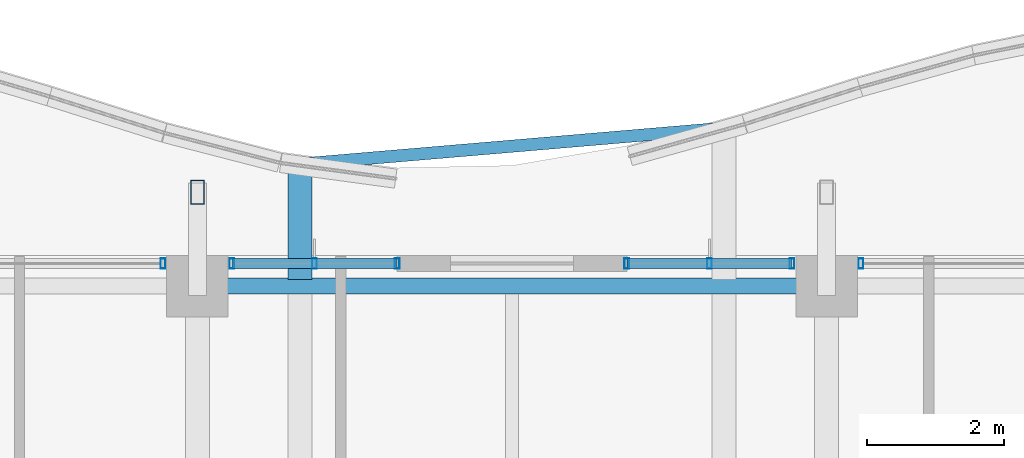
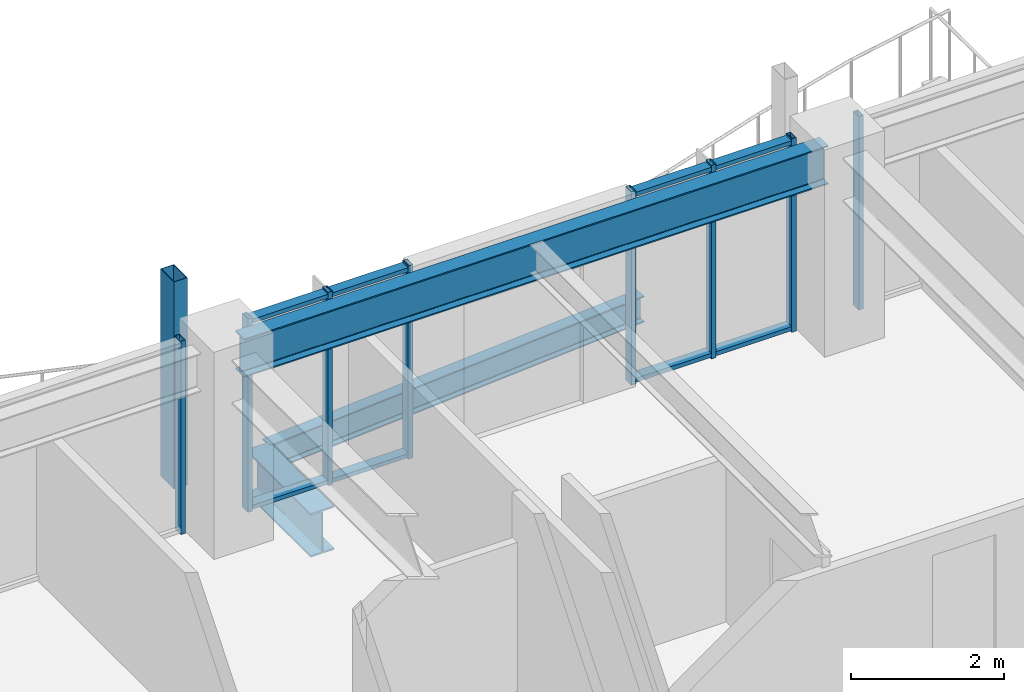
# One storey, part 20 of 37: 13 members, 3 beams, 4 elements without a shape of their own.
"""IFC4 building model written with IfcOpenShell, lengths in metres."""

from ifc_helpers import new_model, si_unit, direction, frame, origin, origin_2d, place, context, subcontext, project, spatial, hollow_rectangle, i_section, extrude, material, material_profile, profile_set, type_object, element, aggregate, save


model = new_model("IFC4")

# Units and contexts
model_context = context("Model", 3, precision=1e-05, world=origin(), true_north=direction((0.0, 1.0)))
body_context = subcontext(model_context, "Body", "Model", "MODEL_VIEW")
ifc_project = project(units=[si_unit("LENGTHUNIT", "METRE"), si_unit("AREAUNIT", "SQUARE_METRE"), si_unit("VOLUMEUNIT", "CUBIC_METRE"), si_unit("PLANEANGLEUNIT", "RADIAN"), si_unit("MASSUNIT", "GRAM", prefix="KILO")], contexts=[model_context])

# Site, building, storey
site_placement = place(None, origin())
site = spatial("IfcSite", under=ifc_project, at=site_placement, CompositionType="ELEMENT")
building_placement = place(site_placement, origin())
building = spatial("IfcBuilding", under=site, at=building_placement, Name="Kolvaren Belvedere", CompositionType="ELEMENT")
storey_placement = place(building_placement, frame((0.0, 0.0, 180.0)))
storey = spatial("IfcBuildingStorey", under=building, at=storey_placement, Name="L52", CompositionType="ELEMENT", Elevation=180.0)

# Beams
ifc_material_1 = material(Name="Structural steel ASTM A992 Grade 50", Category="steel")
ifc_material_profile_1 = material_profile(ifc_material_1, i_section(OverallWidth=0.35498046875, OverallDepth=0.696044921875, WebThickness=0.015380859375, FlangeThickness=0.02490234375, FilletRadius=0.02197265625, at=origin_2d()), Name="W27X146")
ifc_profile_set_1 = profile_set([ifc_material_profile_1], Name="Structural steel ASTM A992 Grade 50")
beam_type_1 = type_object("IfcBeamType", Name="BM-CANT-BAL", PredefinedType="BEAM", material=ifc_profile_set_1)
beam_1_placement = place(storey_placement, frame((-3.10009765625, 20.044921875, -0.568115234375), z_axis=(0.0, 1.0, 0.0), x_axis=(-1.0, 0.0, 0.0)))
element("IfcBeam", 1, at=beam_1_placement, inside=storey, type_object=beam_type_1, Name="L52 Planted Balcony Cantilever BAL-N-1", PredefinedType="BEAM", context=body_context, shape_type="SweptSolid", body=[
    extrude(i_section(OverallWidth=0.35498046875, OverallDepth=0.696044921875, WebThickness=0.015380859375, FlangeThickness=0.02490234375, FilletRadius=0.02197265625, at=origin_2d()), origin(), (0.0, 0.0, 1.0), 1.6875),
])
ifc_material_2 = material(Name="Structural steel ASTM A992 Grade 50", Category="steel")
ifc_material_profile_2 = material_profile(ifc_material_2, i_section(OverallWidth=0.180908203125, OverallDepth=0.4169921875, WebThickness=0.010986328125, FlangeThickness=0.018310546875, FilletRadius=0.013916015625, at=origin_2d()), Name="W16X57")
ifc_profile_set_2 = profile_set([ifc_material_profile_2], Name="Structural steel ASTM A992 Grade 50")
beam_type_2 = type_object("IfcBeamType", Name="BM-EDGE-W16X57", PredefinedType="BEAM", material=ifc_profile_set_2)
beam_2_placement = place(storey_placement, frame((-2.96044921875, 21.744140625, -0.428466796875), z_axis=(0.996415343973, 0.08459587635, 0.0), x_axis=(-0.08459587635, 0.996415343973, 0.0)))
element("IfcBeam", 2, at=beam_2_placement, inside=storey, type_object=beam_type_2, Name="L52 Balcony Tip Header Beam BAL-N", PredefinedType="BEAM", context=body_context, shape_type="SweptSolid", body=[
    extrude(i_section(OverallWidth=0.180908203125, OverallDepth=0.4169921875, WebThickness=0.010986328125, FlangeThickness=0.018310546875, FilletRadius=0.013916015625, at=origin_2d()), origin(), (0.0, 0.0, 1.0), 5.942138671875),
])
ifc_material_3 = material(Name="Structural steel ASTM A992 Grade 50", Category="steel")
ifc_material_profile_3 = material_profile(ifc_material_3, i_section(OverallWidth=0.22900390625, OverallDepth=0.612060546875, WebThickness=0.011962890625, FlangeThickness=0.01953125, FilletRadius=0.01806640625, at=origin_2d()), Name="W24X84")
ifc_profile_set_3 = profile_set([ifc_material_profile_3], Name="Structural steel ASTM A992 Grade 50")
beam_type_3 = type_object("IfcBeamType", Name="BM-SPAN-W24X84", PredefinedType="SPANDREL", material=ifc_profile_set_3)
beam_3_placement = place(storey_placement, frame((4.3974609375, 19.949951171875, 2.77392578125), z_axis=(-1.0, 0.0, 0.0), x_axis=(0.0, -1.0, 0.0)))
element("IfcBeam", 3, at=beam_3_placement, inside=storey, type_object=beam_type_3, Name="L52 Perimeter Spandrel N3-N2", PredefinedType="SPANDREL", context=body_context, shape_type="SweptSolid", body=[
    extrude(i_section(OverallWidth=0.22900390625, OverallDepth=0.612060546875, WebThickness=0.011962890625, FlangeThickness=0.01953125, FilletRadius=0.01806640625, at=origin_2d()), origin(), (0.0, 0.0, 1.0), 8.794921875),
])

# Curtain wall, member
ifc_material_4 = material(Name="Anodised pale-metal aluminium AA 6063-T6", Category="aluminium")
curtain_wall_type = type_object("IfcCurtainWallType", Name="CW-Z5-HIGH", PredefinedType="NOTDEFINED", material=ifc_material_4)
curtain_wall_1_placement = place(storey_placement, origin())
curtain_wall_1 = element("IfcCurtainWall", 4, at=curtain_wall_1_placement, inside=storey, type_object=curtain_wall_type, Name="L52 Unitised Curtain Wall FCW-L52-N1-B1", PredefinedType="NOTDEFINED")
ifc_material_5 = material(Name="Anodised pale-metal aluminium AA 6063-T6", Category="aluminium")
ifc_material_profile_4 = material_profile(ifc_material_5, hollow_rectangle(XDim=0.070068359375, YDim=0.14990234375, WallThickness=0.004150390625, at=origin_2d()), Name="ALU-MUL-150X70")
ifc_profile_set_4 = profile_set([ifc_material_profile_4], Name="Anodised pale-metal aluminium AA 6063-T6")
member_type_1 = type_object("IfcMemberType", Name="CW-MUL-150", PredefinedType="MULLION", material=ifc_profile_set_4)
member_1_placement = place(storey_placement, frame((-5.10498046875, 20.280029296875, 0.0), z_axis=(0.0, 0.0, 1.0), x_axis=(1.0, 0.0, 0.0)))
member_1 = element("IfcMember", 5, at=member_1_placement, type_object=member_type_1, Name="FCW-L52-N1-B1 Unitised Mullion 3", PredefinedType="MULLION", context=body_context, shape_type="SweptSolid", body=[
    extrude(hollow_rectangle(XDim=0.070068359375, YDim=0.14990234375, WallThickness=0.004150390625, at=origin_2d()), origin(), (0.0, 0.0, 1.0), 3.080078125),
])
aggregate(curtain_wall_1, [member_1])

# Curtain wall, members
curtain_wall_2_placement = place(storey_placement, origin())
curtain_wall_2 = element("IfcCurtainWall", 6, at=curtain_wall_2_placement, inside=storey, type_object=curtain_wall_type, Name="L52 Unitised Curtain Wall FCW-L52-N1-B2", PredefinedType="NOTDEFINED")
member_2_placement = place(storey_placement, frame((-4.094970703125, 20.280029296875, 0.0), z_axis=(0.0, 0.0, 1.0), x_axis=(1.0, 0.0, 0.0)))
member_2 = element("IfcMember", 7, at=member_2_placement, type_object=member_type_1, Name="FCW-L52-N1-B2 Unitised Mullion 1", PredefinedType="MULLION", context=body_context, shape_type="SweptSolid", body=[
    extrude(hollow_rectangle(XDim=0.070068359375, YDim=0.14990234375, WallThickness=0.004150390625, at=origin_2d()), origin(), (0.0, 0.0, 1.0), 3.080078125),
])
member_3_placement = place(storey_placement, frame((-2.887451171875, 20.280029296875, 0.0), z_axis=(0.0, 0.0, 1.0), x_axis=(1.0, 0.0, 0.0)))
member_3 = element("IfcMember", 8, at=member_3_placement, type_object=member_type_1, Name="FCW-L52-N1-B2 Unitised Mullion 2", PredefinedType="MULLION", context=body_context, shape_type="SweptSolid", body=[
    extrude(hollow_rectangle(XDim=0.070068359375, YDim=0.14990234375, WallThickness=0.004150390625, at=origin_2d()), origin(), (0.0, 0.0, 1.0), 3.080078125),
])
member_4_placement = place(storey_placement, frame((-1.679931640625, 20.280029296875, 0.0), z_axis=(0.0, 0.0, 1.0), x_axis=(1.0, 0.0, 0.0)))
member_4 = element("IfcMember", 9, at=member_4_placement, type_object=member_type_1, Name="FCW-L52-N1-B2 Unitised Mullion 3", PredefinedType="MULLION", context=body_context, shape_type="SweptSolid", body=[
    extrude(hollow_rectangle(XDim=0.070068359375, YDim=0.14990234375, WallThickness=0.004150390625, at=origin_2d()), origin(), (0.0, 0.0, 1.0), 3.080078125),
])

curtain_wall_3_placement = place(storey_placement, origin())
curtain_wall_3 = element("IfcCurtainWall", 10, at=curtain_wall_3_placement, inside=storey, type_object=curtain_wall_type, Name="L52 Unitised Curtain Wall FCW-L52-N2-B1", PredefinedType="NOTDEFINED")
member_5_placement = place(storey_placement, frame((1.679931640625, 20.280029296875, 0.0), z_axis=(0.0, 0.0, 1.0), x_axis=(1.0, 0.0, 0.0)))
member_5 = element("IfcMember", 11, at=member_5_placement, type_object=member_type_1, Name="FCW-L52-N2-B1 Unitised Mullion 1", PredefinedType="MULLION", context=body_context, shape_type="SweptSolid", body=[
    extrude(hollow_rectangle(XDim=0.070068359375, YDim=0.14990234375, WallThickness=0.004150390625, at=origin_2d()), origin(), (0.0, 0.0, 1.0), 3.080078125),
])
member_6_placement = place(storey_placement, frame((2.887451171875, 20.280029296875, 0.0), z_axis=(0.0, 0.0, 1.0), x_axis=(1.0, 0.0, 0.0)))
member_6 = element("IfcMember", 12, at=member_6_placement, type_object=member_type_1, Name="FCW-L52-N2-B1 Unitised Mullion 2", PredefinedType="MULLION", context=body_context, shape_type="SweptSolid", body=[
    extrude(hollow_rectangle(XDim=0.070068359375, YDim=0.14990234375, WallThickness=0.004150390625, at=origin_2d()), origin(), (0.0, 0.0, 1.0), 3.080078125),
])
member_7_placement = place(storey_placement, frame((4.094970703125, 20.280029296875, 0.0), z_axis=(0.0, 0.0, 1.0), x_axis=(1.0, 0.0, 0.0)))
member_7 = element("IfcMember", 13, at=member_7_placement, type_object=member_type_1, Name="FCW-L52-N2-B1 Unitised Mullion 3", PredefinedType="MULLION", context=body_context, shape_type="SweptSolid", body=[
    extrude(hollow_rectangle(XDim=0.070068359375, YDim=0.14990234375, WallThickness=0.004150390625, at=origin_2d()), origin(), (0.0, 0.0, 1.0), 3.080078125),
])

# Curtain wall, member
curtain_wall_4_placement = place(storey_placement, origin())
curtain_wall_4 = element("IfcCurtainWall", 14, at=curtain_wall_4_placement, inside=storey, type_object=curtain_wall_type, Name="L52 Unitised Curtain Wall FCW-L52-N2-B2", PredefinedType="NOTDEFINED")
member_8_placement = place(storey_placement, frame((5.10498046875, 20.280029296875, 0.0), z_axis=(0.0, 0.0, 1.0), x_axis=(1.0, 0.0, 0.0)))
member_8 = element("IfcMember", 15, at=member_8_placement, type_object=member_type_1, Name="FCW-L52-N2-B2 Unitised Mullion 1", PredefinedType="MULLION", context=body_context, shape_type="SweptSolid", body=[
    extrude(hollow_rectangle(XDim=0.070068359375, YDim=0.14990234375, WallThickness=0.004150390625, at=origin_2d()), origin(), (0.0, 0.0, 1.0), 3.080078125),
])
aggregate(curtain_wall_4, [member_8])

# Member
ifc_material_6 = material(Name="Anodised pale-metal aluminium AA 6063-T6", Category="aluminium")
ifc_material_profile_5 = material_profile(ifc_material_6, hollow_rectangle(XDim=0.06494140625, YDim=0.14990234375, WallThickness=0.00390625, at=origin_2d()), Name="ALU-TRN-150X65")
ifc_profile_set_5 = profile_set([ifc_material_profile_5], Name="Anodised pale-metal aluminium AA 6063-T6")
member_type_2 = type_object("IfcMemberType", Name="CW-TRN-150", PredefinedType="USERDEFINED", material=ifc_profile_set_5)
member_9_placement = place(storey_placement, frame((-4.094970703125, 20.280029296875, 0.06005859375), z_axis=(1.0, 0.0, 0.0), x_axis=(0.0, 0.0, 1.0)))
member_9 = element("IfcMember", 16, at=member_9_placement, type_object=member_type_2, Name="FCW-L52-N1-B2 Sill Transom", ObjectType="TRANSOM", PredefinedType="USERDEFINED", context=body_context, shape_type="SweptSolid", body=[
    extrude(hollow_rectangle(XDim=0.06494140625, YDim=0.14990234375, WallThickness=0.00390625, at=origin_2d()), origin(), (0.0, 0.0, 1.0), 2.4150390625),
])

member_10_placement = place(storey_placement, frame((-4.094970703125, 20.280029296875, 3.02001953125), z_axis=(1.0, 0.0, 0.0), x_axis=(0.0, 0.0, 1.0)))
member_10 = element("IfcMember", 17, at=member_10_placement, type_object=member_type_2, Name="FCW-L52-N1-B2 Head Transom", ObjectType="TRANSOM", PredefinedType="USERDEFINED", context=body_context, shape_type="SweptSolid", body=[
    extrude(hollow_rectangle(XDim=0.06494140625, YDim=0.14990234375, WallThickness=0.00390625, at=origin_2d()), origin(), (0.0, 0.0, 1.0), 2.4150390625),
])

aggregate(curtain_wall_2, [member_2, member_3, member_4, member_9, member_10])

member_11_placement = place(storey_placement, frame((1.679931640625, 20.280029296875, 0.06005859375), z_axis=(1.0, 0.0, 0.0), x_axis=(0.0, 0.0, 1.0)))
member_11 = element("IfcMember", 18, at=member_11_placement, type_object=member_type_2, Name="FCW-L52-N2-B1 Sill Transom", ObjectType="TRANSOM", PredefinedType="USERDEFINED", context=body_context, shape_type="SweptSolid", body=[
    extrude(hollow_rectangle(XDim=0.06494140625, YDim=0.14990234375, WallThickness=0.00390625, at=origin_2d()), origin(), (0.0, 0.0, 1.0), 2.4150390625),
])

member_12_placement = place(storey_placement, frame((1.679931640625, 20.280029296875, 3.02001953125), z_axis=(1.0, 0.0, 0.0), x_axis=(0.0, 0.0, 1.0)))
member_12 = element("IfcMember", 19, at=member_12_placement, type_object=member_type_2, Name="FCW-L52-N2-B1 Head Transom", ObjectType="TRANSOM", PredefinedType="USERDEFINED", context=body_context, shape_type="SweptSolid", body=[
    extrude(hollow_rectangle(XDim=0.06494140625, YDim=0.14990234375, WallThickness=0.00390625, at=origin_2d()), origin(), (0.0, 0.0, 1.0), 2.4150390625),
])

aggregate(curtain_wall_3, [member_5, member_6, member_7, member_11, member_12])

ifc_material_7 = material(Name="Anodised pale-metal aluminium AA 6063-T6", Category="aluminium")
ifc_material_profile_6 = material_profile(ifc_material_7, hollow_rectangle(XDim=0.199951171875, YDim=0.35009765625, WallThickness=0.007568359375, at=origin_2d()), Name="ALU-PF-350X200")
ifc_profile_set_6 = profile_set([ifc_material_profile_6], Name="Anodised pale-metal aluminium AA 6063-T6")
member_type_3 = type_object("IfcMemberType", Name="PF-FRAME-350", PredefinedType="USERDEFINED", material=ifc_profile_set_6)
member_13_placement = place(storey_placement, frame((-4.60009765625, 21.320068359375, 0.0), z_axis=(0.0, 0.0, 1.0), x_axis=(1.0, 0.0, 0.0)))
element("IfcMember", 20, at=member_13_placement, inside=storey, type_object=member_type_3, Name="L52 Outboard Picture-Frame Vertical N1", ObjectType="PICTURE FRAME FIN", PredefinedType="USERDEFINED", context=body_context, shape_type="SweptSolid", body=[
    extrude(hollow_rectangle(XDim=0.199951171875, YDim=0.35009765625, WallThickness=0.007568359375, at=origin_2d()), origin(), (0.0, 0.0, 1.0), 3.300048828125),
])

save(model, "model.ifc")
